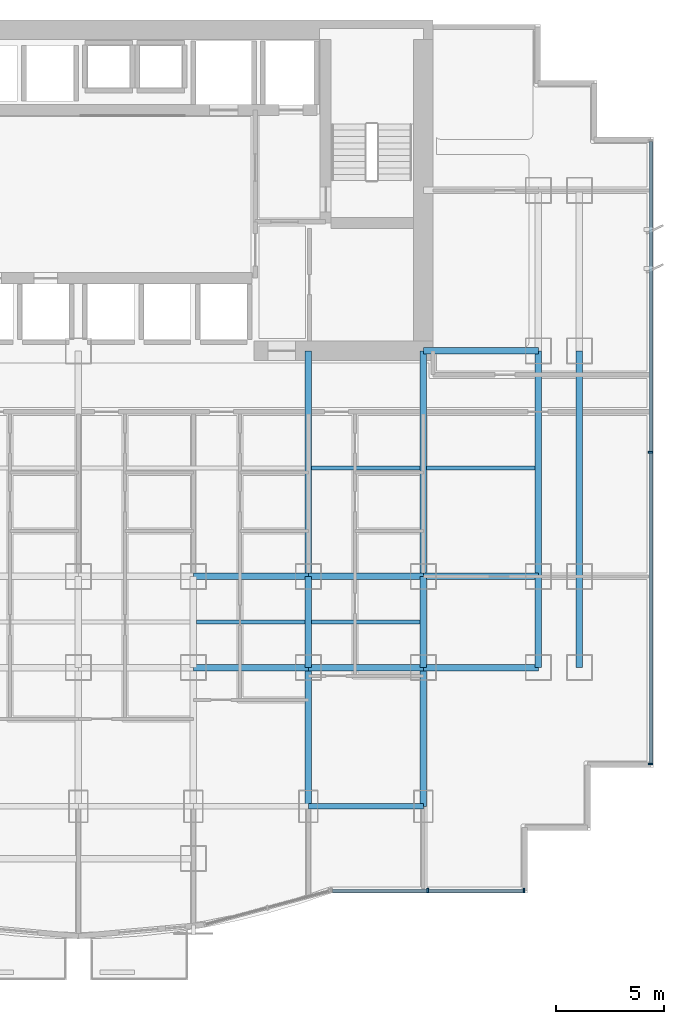
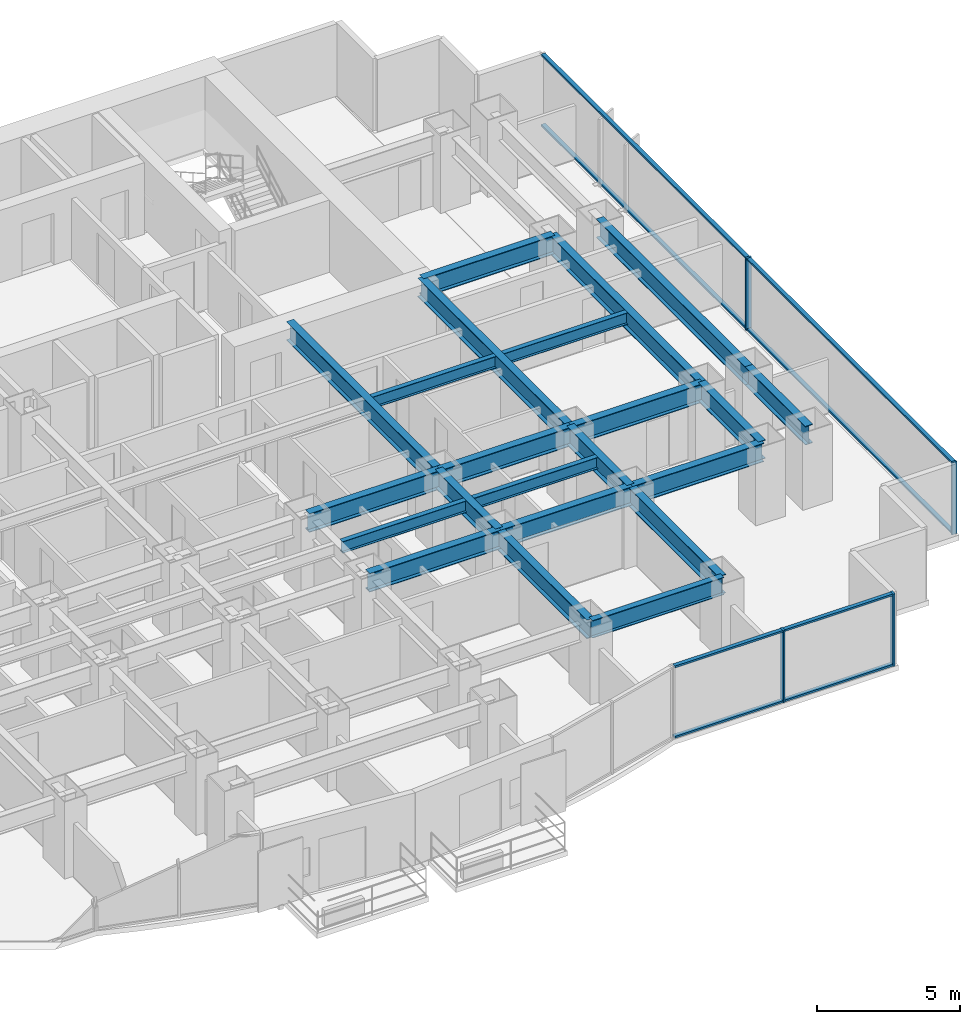
# One storey, part 3 of 12: 22 beams, 12 members, 2 elements without a shape of their own.
"""IFC4 building model written with IfcOpenShell, lengths in metres."""

from ifc_helpers import new_model, si_unit, direction, frame, origin, origin_2d, place, context, subcontext, project, spatial, rectangle, i_section, extrude, source, transform, mapped, material, layer, layer_set, material_profile, profile_set, type_object, element, aggregate, save


model = new_model("IFC4")

# Units and contexts
model_context = context("Model", 3, precision=1e-05, world=origin(), true_north=direction((0.0, 1.0)))
body_context = subcontext(model_context, "Body", "Model", "MODEL_VIEW")
ifc_project = project(units=[si_unit("LENGTHUNIT", "METRE"), si_unit("AREAUNIT", "SQUARE_METRE"), si_unit("VOLUMEUNIT", "CUBIC_METRE"), si_unit("PLANEANGLEUNIT", "RADIAN"), si_unit("MASSUNIT", "GRAM", prefix="KILO")], contexts=[model_context])

# Site, building, storey
site_placement = place(None, origin())
site = spatial("IfcSite", under=ifc_project, at=site_placement, CompositionType="ELEMENT")
building_placement = place(site_placement, origin())
building = spatial("IfcBuilding", under=site, at=building_placement, Name="Qianlan Lanfeng Residences", CompositionType="ELEMENT")
storey_placement = place(building_placement, frame((0.0, 0.0, 27.5)))
storey = spatial("IfcBuildingStorey", under=building, at=storey_placement, Name="L06", CompositionType="ELEMENT", Elevation=27.5)

# Beams
ifc_material_1 = material(Name="Steel SN490B", Category="steel")
ifc_material_profile_1 = material_profile(ifc_material_1, i_section(OverallWidth=0.300048828125, OverallDepth=0.800048828125, WebThickness=0.01611328125, FlangeThickness=0.028076171875, at=origin_2d()), Name="H 800x300x16x28")
ifc_profile_set_1 = profile_set([ifc_material_profile_1], Name="Steel SN490B")
beam_type_1 = type_object("IfcBeamType", Name="G-950", PredefinedType="BEAM", material=ifc_profile_set_1)
beam_1_placement = place(storey_placement, frame((31.800048828125, 10.60009765625, 2.679931640625), z_axis=(1.0, 0.0, 0.0), x_axis=(0.0, 1.0, 0.0)))
element("IfcBeam", 1, at=beam_1_placement, inside=storey, type_object=beam_type_1, Name="Structural beam G-950", PredefinedType="BEAM", context=body_context, shape_type="SweptSolid", body=[
    extrude(i_section(OverallWidth=0.300048828125, OverallDepth=0.800048828125, WebThickness=0.01611328125, FlangeThickness=0.028076171875, at=origin_2d()), origin(), (0.0, 0.0, 1.0), 5.300048828125),
])
beam_2_placement = place(storey_placement, frame((37.10009765625, 10.60009765625, 2.679931640625), z_axis=(1.0, 0.0, 0.0), x_axis=(0.0, 1.0, 0.0)))
element("IfcBeam", 2, at=beam_2_placement, inside=storey, type_object=beam_type_1, Name="Structural beam G-950", PredefinedType="BEAM", context=body_context, shape_type="SweptSolid", body=[
    extrude(i_section(OverallWidth=0.300048828125, OverallDepth=0.800048828125, WebThickness=0.01611328125, FlangeThickness=0.028076171875, at=origin_2d()), origin(), (0.0, 0.0, 1.0), 5.2998046875),
])
for number, where, z_axis, x_axis, name in (
    (3, (42.39990234375, 10.60009765625, 2.679931640625), (1.0, 0.0, 0.0), (0.0, 1.0, 0.0), "Structural beam G-950"),
    (4, (31.800048828125, 14.800048828125, 2.679931640625), (1.0, 0.0, 0.0), (0.0, 1.0, 0.0), "Structural beam G-950"),
):
    element("IfcBeam", number, at=place(storey_placement, frame(where, z_axis=z_axis, x_axis=x_axis)), inside=storey, type_object=beam_type_1, Name=name, PredefinedType="BEAM", context=body_context, shape_type="SweptSolid", body=[
        extrude(i_section(OverallWidth=0.300048828125, OverallDepth=0.800048828125, WebThickness=0.01611328125, FlangeThickness=0.028076171875, at=origin_2d()), origin(), (0.0, 0.0, 1.0), 5.300048828125),
    ])
beam_3_placement = place(storey_placement, frame((37.10009765625, 14.800048828125, 2.679931640625), z_axis=(1.0, 0.0, 0.0), x_axis=(0.0, 1.0, 0.0)))
element("IfcBeam", 5, at=beam_3_placement, inside=storey, type_object=beam_type_1, Name="Structural beam G-950", PredefinedType="BEAM", context=body_context, shape_type="SweptSolid", body=[
    extrude(i_section(OverallWidth=0.300048828125, OverallDepth=0.800048828125, WebThickness=0.01611328125, FlangeThickness=0.028076171875, at=origin_2d()), origin(), (0.0, 0.0, 1.0), 5.2998046875),
])
for number, where, z_axis, x_axis, name in (
    (6, (42.39990234375, 14.800048828125, 2.679931640625), (1.0, 0.0, 0.0), (0.0, 1.0, 0.0), "Structural beam G-950"),
    (7, (42.39990234375, 25.199951171875, 2.679931640625), (1.0, 0.0, 0.0), (0.0, 1.0, 0.0), "Structural beam G-950"),
):
    element("IfcBeam", number, at=place(storey_placement, frame(where, z_axis=z_axis, x_axis=x_axis)), inside=storey, type_object=beam_type_1, Name=name, PredefinedType="BEAM", context=body_context, shape_type="SweptSolid", body=[
        extrude(i_section(OverallWidth=0.300048828125, OverallDepth=0.800048828125, WebThickness=0.01611328125, FlangeThickness=0.028076171875, at=origin_2d()), origin(), (0.0, 0.0, 1.0), 5.300048828125),
    ])
beam_4_placement = place(storey_placement, frame((37.10009765625, 4.199951171875, 2.679931640625), z_axis=(0.0, 1.0, 0.0), x_axis=(-1.0, 0.0, 0.0)))
element("IfcBeam", 8, at=beam_4_placement, inside=storey, type_object=beam_type_1, Name="Structural beam G-950", PredefinedType="BEAM", context=body_context, shape_type="SweptSolid", body=[
    extrude(i_section(OverallWidth=0.300048828125, OverallDepth=0.800048828125, WebThickness=0.01611328125, FlangeThickness=0.028076171875, at=origin_2d()), origin(), (0.0, 0.0, 1.0), 6.400146484375),
])
beam_5_placement = place(storey_placement, frame((37.10009765625, 10.60009765625, 2.679931640625), z_axis=(0.0, 1.0, 0.0), x_axis=(-1.0, 0.0, 0.0)))
element("IfcBeam", 9, at=beam_5_placement, inside=storey, type_object=beam_type_1, Name="Structural beam G-950", PredefinedType="BEAM", context=body_context, shape_type="SweptSolid", body=[
    extrude(i_section(OverallWidth=0.300048828125, OverallDepth=0.800048828125, WebThickness=0.01611328125, FlangeThickness=0.028076171875, at=origin_2d()), origin(), (0.0, 0.0, 1.0), 4.199951171875),
])
beam_6_placement = place(storey_placement, frame((37.10009765625, 14.800048828125, 2.679931640625), z_axis=(0.0, 1.0, 0.0), x_axis=(-1.0, 0.0, 0.0)))
element("IfcBeam", 10, at=beam_6_placement, inside=storey, type_object=beam_type_1, Name="Structural beam G-950", PredefinedType="BEAM", context=body_context, shape_type="SweptSolid", body=[
    extrude(i_section(OverallWidth=0.300048828125, OverallDepth=0.800048828125, WebThickness=0.01611328125, FlangeThickness=0.028076171875, at=origin_2d()), origin(), (0.0, 0.0, 1.0), 10.39990234375),
])
beam_7_placement = place(storey_placement, frame((42.39990234375, 4.199951171875, 2.679931640625), z_axis=(0.0, 1.0, 0.0), x_axis=(-1.0, 0.0, 0.0)))
element("IfcBeam", 11, at=beam_7_placement, inside=storey, type_object=beam_type_1, Name="Structural beam G-950", PredefinedType="BEAM", context=body_context, shape_type="SweptSolid", body=[
    extrude(i_section(OverallWidth=0.300048828125, OverallDepth=0.800048828125, WebThickness=0.01611328125, FlangeThickness=0.028076171875, at=origin_2d()), origin(), (0.0, 0.0, 1.0), 6.400146484375),
])
beam_8_placement = place(storey_placement, frame((42.39990234375, 10.60009765625, 2.679931640625), z_axis=(0.0, 1.0, 0.0), x_axis=(-1.0, 0.0, 0.0)))
element("IfcBeam", 12, at=beam_8_placement, inside=storey, type_object=beam_type_1, Name="Structural beam G-950", PredefinedType="BEAM", context=body_context, shape_type="SweptSolid", body=[
    extrude(i_section(OverallWidth=0.300048828125, OverallDepth=0.800048828125, WebThickness=0.01611328125, FlangeThickness=0.028076171875, at=origin_2d()), origin(), (0.0, 0.0, 1.0), 4.199951171875),
])
beam_9_placement = place(storey_placement, frame((42.39990234375, 14.800048828125, 2.679931640625), z_axis=(0.0, 1.0, 0.0), x_axis=(-1.0, 0.0, 0.0)))
element("IfcBeam", 13, at=beam_9_placement, inside=storey, type_object=beam_type_1, Name="Structural beam G-950", PredefinedType="BEAM", context=body_context, shape_type="SweptSolid", body=[
    extrude(i_section(OverallWidth=0.300048828125, OverallDepth=0.800048828125, WebThickness=0.01611328125, FlangeThickness=0.028076171875, at=origin_2d()), origin(), (0.0, 0.0, 1.0), 10.39990234375),
])
beam_10_placement = place(storey_placement, frame((47.699951171875, 10.60009765625, 2.679931640625), z_axis=(0.0, 1.0, 0.0), x_axis=(-1.0, 0.0, 0.0)))
element("IfcBeam", 14, at=beam_10_placement, inside=storey, type_object=beam_type_1, Name="Structural beam G-950", PredefinedType="BEAM", context=body_context, shape_type="SweptSolid", body=[
    extrude(i_section(OverallWidth=0.300048828125, OverallDepth=0.800048828125, WebThickness=0.01611328125, FlangeThickness=0.028076171875, at=origin_2d()), origin(), (0.0, 0.0, 1.0), 4.199951171875),
])
beam_11_placement = place(storey_placement, frame((47.699951171875, 14.800048828125, 2.679931640625), z_axis=(0.0, 1.0, 0.0), x_axis=(-1.0, 0.0, 0.0)))
element("IfcBeam", 15, at=beam_11_placement, inside=storey, type_object=beam_type_1, Name="Structural beam G-950", PredefinedType="BEAM", context=body_context, shape_type="SweptSolid", body=[
    extrude(i_section(OverallWidth=0.300048828125, OverallDepth=0.800048828125, WebThickness=0.01611328125, FlangeThickness=0.028076171875, at=origin_2d()), origin(), (0.0, 0.0, 1.0), 10.39990234375),
])
beam_12_placement = place(storey_placement, frame((49.60009765625, 10.60009765625, 2.679931640625), z_axis=(0.0, 1.0, 0.0), x_axis=(-1.0, 0.0, 0.0)))
element("IfcBeam", 16, at=beam_12_placement, inside=storey, type_object=beam_type_1, Name="Structural beam G-950", PredefinedType="BEAM", context=body_context, shape_type="SweptSolid", body=[
    extrude(i_section(OverallWidth=0.300048828125, OverallDepth=0.800048828125, WebThickness=0.01611328125, FlangeThickness=0.028076171875, at=origin_2d()), origin(), (0.0, 0.0, 1.0), 4.199951171875),
])
beam_13_placement = place(storey_placement, frame((49.60009765625, 14.800048828125, 2.679931640625), z_axis=(0.0, 1.0, 0.0), x_axis=(-1.0, 0.0, 0.0)))
element("IfcBeam", 17, at=beam_13_placement, inside=storey, type_object=beam_type_1, Name="Structural beam G-950", PredefinedType="BEAM", context=body_context, shape_type="SweptSolid", body=[
    extrude(i_section(OverallWidth=0.300048828125, OverallDepth=0.800048828125, WebThickness=0.01611328125, FlangeThickness=0.028076171875, at=origin_2d()), origin(), (0.0, 0.0, 1.0), 10.39990234375),
])
ifc_material_profile_2 = material_profile(ifc_material_1, i_section(OverallWidth=0.199951171875, OverallDepth=0.5, WebThickness=0.010009765625, FlangeThickness=0.01611328125, at=origin_2d()), Name="H 500x200x10x16")
ifc_profile_set_2 = profile_set([ifc_material_profile_2], Name="Steel SN490B")
beam_type_2 = type_object("IfcBeamType", Name="J-500", PredefinedType="JOIST", material=ifc_profile_set_2)
for number, where, z_axis, x_axis, name in (
    (18, (31.949951171875, 12.699951171875, 2.830078125), (1.0, 0.0, 0.0), (0.0, 1.0, 0.0), "Structural beam J-500"),
    (19, (37.25, 12.699951171875, 2.830078125), (1.0, 0.0, 0.0), (0.0, 1.0, 0.0), "Structural beam J-500"),
    (20, (37.25, 19.800048828125, 2.830078125), (1.0, 0.0, 0.0), (0.0, 1.0, 0.0), "Structural beam J-500"),
    (21, (42.550048828125, 19.800048828125, 2.830078125), (1.0, 0.0, 0.0), (0.0, 1.0, 0.0), "Structural beam J-500"),
):
    element("IfcBeam", number, at=place(storey_placement, frame(where, z_axis=z_axis, x_axis=x_axis)), inside=storey, type_object=beam_type_2, Name=name, PredefinedType="JOIST", context=body_context, shape_type="SweptSolid", body=[
        extrude(i_section(OverallWidth=0.199951171875, OverallDepth=0.5, WebThickness=0.010009765625, FlangeThickness=0.01611328125, at=origin_2d()), origin(), (0.0, 0.0, 1.0), 5.0),
    ])
ifc_material_profile_3 = material_profile(ifc_material_1, i_section(OverallWidth=0.25, OverallDepth=0.75, WebThickness=0.013916015625, FlangeThickness=0.02490234375, at=origin_2d()), Name="H 750x250x14x25")
ifc_profile_set_3 = profile_set([ifc_material_profile_3], Name="Steel SN490B")
beam_type_3 = type_object("IfcBeamType", Name="SG-850", PredefinedType="SPANDREL", material=ifc_profile_set_3)
beam_14_placement = place(storey_placement, frame((37.10009765625, 4.199951171875, 2.705078125), z_axis=(1.0, 0.0, 0.0), x_axis=(0.0, 1.0, 0.0)))
element("IfcBeam", 22, at=beam_14_placement, inside=storey, type_object=beam_type_3, Name="Structural beam SG-850", PredefinedType="SPANDREL", context=body_context, shape_type="SweptSolid", body=[
    extrude(i_section(OverallWidth=0.25, OverallDepth=0.75, WebThickness=0.013916015625, FlangeThickness=0.02490234375, at=origin_2d()), origin(), (0.0, 0.0, 1.0), 5.2998046875),
])

# Curtain wall, members
ifc_material_2 = material(Name="Anodised Bronze Aluminium 6063-T6", Category="aluminium")
ifc_layer = layer(ifc_material_2, 0.219970703125)
ifc_layer_set = layer_set([ifc_layer], Name="Anodised Bronze Aluminium 6063-T6")
curtain_wall_type = type_object("IfcCurtainWallType", Name="CW-02", PredefinedType="NOTDEFINED", material=ifc_layer_set)
curtain_wall_1_placement = place(storey_placement, origin())
curtain_wall_1 = element("IfcCurtainWall", 23, at=curtain_wall_1_placement, inside=storey, type_object=curtain_wall_type, Name="L06 Unitised Curtain Wall CWR-L06-04 (CW-02)", PredefinedType="NOTDEFINED")
ifc_material_profile_4 = material_profile(ifc_material_2, rectangle(XDim=0.080078125, YDim=0.2099609375, at=origin_2d()), Name="ALU MULLION 80x210")
ifc_profile_set_4 = profile_set([ifc_material_profile_4], Name="Anodised Bronze Aluminium 6063-T6")
member_type_1 = type_object("IfcMemberType", Name="CWM-220", PredefinedType="MULLION", material=ifc_profile_set_4)
shared_shape_1 = source(origin(), body_context, "Body", "SweptSolid", [
    extrude(rectangle(XDim=0.080078125, YDim=0.2099609375, at=origin_2d()), origin(), (0.0, 0.0, 1.0), 3.080078125),
])
member_1_placement = place(storey_placement, frame((42.60498046875, 0.320068359375, 0.0), z_axis=(0.0, 0.0, 1.0), x_axis=(1.0, 0.0, 0.0)))
member_1 = element("IfcMember", 24, at=member_1_placement, type_object=member_type_1, Name="CWR-L06-04 Mullion 2", PredefinedType="MULLION", context=body_context, shape_type="MappedRepresentation", body=[
    mapped(shared_shape_1, transform((0.0, 0.0, 0.0), scale=1.0)),
])
member_2_placement = place(storey_placement, frame((47.0400390625, 0.320068359375, 0.0), z_axis=(0.0, 0.0, 1.0), x_axis=(1.0, 0.0, 0.0)))
member_2 = element("IfcMember", 25, at=member_2_placement, type_object=member_type_1, Name="CWR-L06-04 Mullion 3", PredefinedType="MULLION", context=body_context, shape_type="MappedRepresentation", body=[
    mapped(shared_shape_1, transform((0.0, 0.0, 0.0), scale=1.0)),
])

curtain_wall_2_placement = place(storey_placement, origin())
curtain_wall_2 = element("IfcCurtainWall", 26, at=curtain_wall_2_placement, inside=storey, type_object=curtain_wall_type, Name="L06 Unitised Curtain Wall CWR-L06-05 (CW-02)", PredefinedType="NOTDEFINED")
member_3_placement = place(storey_placement, frame((52.8798828125, 6.159912109375, 0.0), z_axis=(0.0, 0.0, 1.0), x_axis=(0.0, 1.0, 0.0)))
member_3 = element("IfcMember", 27, at=member_3_placement, type_object=member_type_1, Name="CWR-L06-05 Mullion 1", PredefinedType="MULLION", context=body_context, shape_type="MappedRepresentation", body=[
    mapped(shared_shape_1, transform((0.0, 0.0, 0.0), scale=1.0)),
])
member_4_placement = place(storey_placement, frame((52.8798828125, 20.52490234375, 0.0), z_axis=(0.0, 0.0, 1.0), x_axis=(0.0, 1.0, 0.0)))
member_4 = element("IfcMember", 28, at=member_4_placement, type_object=member_type_1, Name="CWR-L06-05 Mullion 2", PredefinedType="MULLION", context=body_context, shape_type="MappedRepresentation", body=[
    mapped(shared_shape_1, transform((0.0, 0.0, 0.0), scale=1.0)),
])

# Member
ifc_material_profile_5 = material_profile(ifc_material_2, rectangle(XDim=0.080078125, YDim=0.159912109375, at=origin_2d()), Name="ALU TRANSOM 80x160")
ifc_profile_set_5 = profile_set([ifc_material_profile_5], Name="Anodised Bronze Aluminium 6063-T6")
member_type_2 = type_object("IfcMemberType", Name="CWT-180", PredefinedType="USERDEFINED", material=ifc_profile_set_5)
shared_shape_2 = source(origin(), body_context, "Body", "SweptSolid", [
    extrude(rectangle(XDim=0.080078125, YDim=0.159912109375, at=origin_2d()), origin(), (0.0, 0.0, 1.0), 4.35498046875),
])
member_5_placement = place(storey_placement, frame((38.2099609375, 0.320068359375, 0.0400390625), z_axis=(1.0, 0.0, 0.0), x_axis=(0.0, 0.0, 1.0)))
member_5 = element("IfcMember", 29, at=member_5_placement, type_object=member_type_2, Name="CWR-L06-04 Transom 1-BOT", ObjectType="TRANSOM", PredefinedType="USERDEFINED", context=body_context, shape_type="MappedRepresentation", body=[
    mapped(shared_shape_2, transform((0.0, 0.0, 0.0), scale=1.0)),
])

member_6_placement = place(storey_placement, frame((38.2099609375, 0.320068359375, 3.0400390625), z_axis=(1.0, 0.0, 0.0), x_axis=(0.0, 0.0, 1.0)))
member_6 = element("IfcMember", 30, at=member_6_placement, type_object=member_type_2, Name="CWR-L06-04 Transom 1-TOP", ObjectType="TRANSOM", PredefinedType="USERDEFINED", context=body_context, shape_type="MappedRepresentation", body=[
    mapped(shared_shape_2, transform((0.0, 0.0, 0.0), scale=1.0)),
])

member_7_placement = place(storey_placement, frame((42.64501953125, 0.320068359375, 0.0400390625), z_axis=(1.0, 0.0, 0.0), x_axis=(0.0, 0.0, 1.0)))
member_7 = element("IfcMember", 31, at=member_7_placement, type_object=member_type_2, Name="CWR-L06-04 Transom 2-BOT", ObjectType="TRANSOM", PredefinedType="USERDEFINED", context=body_context, shape_type="MappedRepresentation", body=[
    mapped(shared_shape_2, transform((0.0, 0.0, 0.0), scale=1.0)),
])

member_8_placement = place(storey_placement, frame((42.64501953125, 0.320068359375, 3.0400390625), z_axis=(1.0, 0.0, 0.0), x_axis=(0.0, 0.0, 1.0)))
member_8 = element("IfcMember", 32, at=member_8_placement, type_object=member_type_2, Name="CWR-L06-04 Transom 2-TOP", ObjectType="TRANSOM", PredefinedType="USERDEFINED", context=body_context, shape_type="MappedRepresentation", body=[
    mapped(shared_shape_2, transform((0.0, 0.0, 0.0), scale=1.0)),
])

aggregate(curtain_wall_1, [member_1, member_2, member_5, member_6, member_7, member_8])

shared_shape_3 = source(origin(), body_context, "Body", "SweptSolid", [
    extrude(rectangle(XDim=0.080078125, YDim=0.159912109375, at=origin_2d()), origin(), (0.0, 0.0, 1.0), 14.28515625),
])
member_9_placement = place(storey_placement, frame((52.8798828125, 6.199951171875, 0.0400390625), z_axis=(0.0, 1.0, 0.0), x_axis=(0.0, 0.0, 1.0)))
member_9 = element("IfcMember", 33, at=member_9_placement, type_object=member_type_2, Name="CWR-L06-05 Transom 1-BOT", ObjectType="TRANSOM", PredefinedType="USERDEFINED", context=body_context, shape_type="MappedRepresentation", body=[
    mapped(shared_shape_3, transform((0.0, 0.0, 0.0), scale=1.0)),
])

member_10_placement = place(storey_placement, frame((52.8798828125, 6.199951171875, 3.0400390625), z_axis=(0.0, 1.0, 0.0), x_axis=(0.0, 0.0, 1.0)))
member_10 = element("IfcMember", 34, at=member_10_placement, type_object=member_type_2, Name="CWR-L06-05 Transom 1-TOP", ObjectType="TRANSOM", PredefinedType="USERDEFINED", context=body_context, shape_type="MappedRepresentation", body=[
    mapped(shared_shape_3, transform((0.0, 0.0, 0.0), scale=1.0)),
])

member_11_placement = place(storey_placement, frame((52.8798828125, 20.56494140625, 0.0400390625), z_axis=(0.0, 1.0, 0.0), x_axis=(0.0, 0.0, 1.0)))
member_11 = element("IfcMember", 35, at=member_11_placement, type_object=member_type_2, Name="CWR-L06-05 Transom 2-BOT", ObjectType="TRANSOM", PredefinedType="USERDEFINED", context=body_context, shape_type="MappedRepresentation", body=[
    mapped(shared_shape_3, transform((0.0, 0.0, 0.0), scale=1.0)),
])

member_12_placement = place(storey_placement, frame((52.8798828125, 20.56494140625, 3.0400390625), z_axis=(0.0, 1.0, 0.0), x_axis=(0.0, 0.0, 1.0)))
member_12 = element("IfcMember", 36, at=member_12_placement, type_object=member_type_2, Name="CWR-L06-05 Transom 2-TOP", ObjectType="TRANSOM", PredefinedType="USERDEFINED", context=body_context, shape_type="MappedRepresentation", body=[
    mapped(shared_shape_3, transform((0.0, 0.0, 0.0), scale=1.0)),
])

aggregate(curtain_wall_2, [member_3, member_4, member_9, member_10, member_11, member_12])

save(model, "model.ifc")
